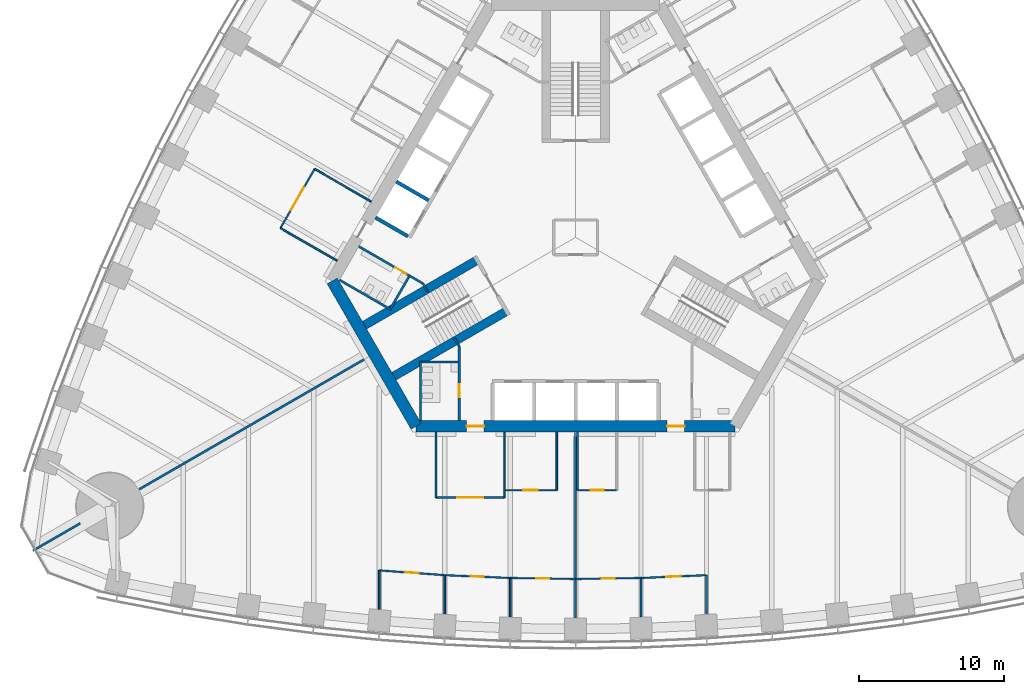
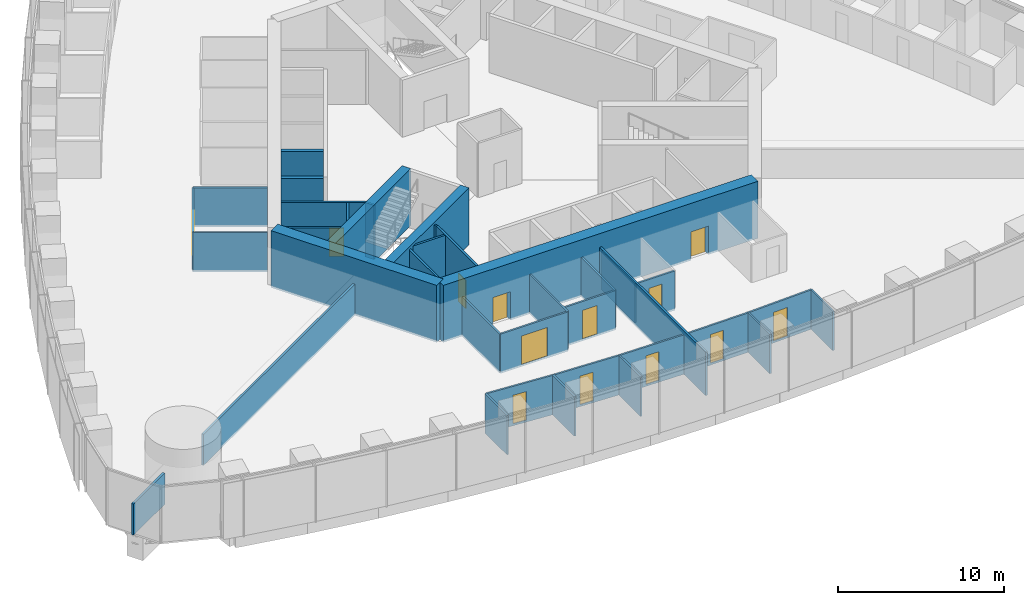
# One storey, part 10 of 18: 37 walls, 13 doors, 13 openings.
"""IFC4 building model written with IfcOpenShell, lengths in metres."""

from ifc_helpers import new_model, si_unit, direction, frame, frame_2d, origin, place, context, subcontext, project, spatial, rectangle, extrude, material, layer, layer_set, type_object, element, fill, save


model = new_model("IFC4")

# Units and contexts
model_context = context("Model", 3, precision=1e-05, world=origin(), true_north=direction((0.0, 1.0)))
body_context = subcontext(model_context, "Body", "Model", "MODEL_VIEW")
ifc_project = project(units=[si_unit("LENGTHUNIT", "METRE"), si_unit("AREAUNIT", "SQUARE_METRE"), si_unit("VOLUMEUNIT", "CUBIC_METRE"), si_unit("PLANEANGLEUNIT", "RADIAN"), si_unit("MASSUNIT", "GRAM", prefix="KILO")], contexts=[model_context])

# Site, building, storey
site_placement = place(None, origin())
site = spatial("IfcSite", under=ifc_project, at=site_placement, CompositionType="ELEMENT")
building_placement = place(site_placement, origin())
building = spatial("IfcBuilding", under=site, at=building_placement, Name="Trefoil Bronze Tower", CompositionType="ELEMENT")
storey_placement = place(building_placement, frame((0.0, 0.0, 29.10009765625)))
storey = spatial("IfcBuildingStorey", under=building, at=storey_placement, Name="L06", CompositionType="ELEMENT", Elevation=29.10009765625)

# Wall, openings, doors
ifc_material_1 = material(Name="Concrete B80", Category="concrete")
ifc_layer_1 = layer(ifc_material_1, 0.800048828125)
ifc_layer_set_1 = layer_set([ifc_layer_1], Name="Core wall 800")
wall_type_1 = type_object("IfcWallType", Name="Core wall 800", PredefinedType="SHEAR", material=ifc_layer_set_1)
wall_1_placement = place(storey_placement, frame((-10.9697265625, -13.0, 0.0), z_axis=(0.0, 0.0, 1.0), x_axis=(1.0, 0.0, 0.0)))
wall_1 = element("IfcWall", 1, at=wall_1_placement, inside=storey, type_object=wall_type_1, Name="Core long wall 1 L06", PredefinedType="SHEAR", context=body_context, shape_type="SweptSolid", body=[
    extrude(rectangle(XDim=21.939453125, YDim=0.800048828125, at=frame_2d((10.9697265625, 0.0))), origin(), (0.0, 0.0, 1.0), 4.199951171875),
])
opening_1_placement = place(wall_1_placement, frame((17.269775390625, 0.0, 0.0)))
opening_1 = element("IfcOpeningElement", 2, at=opening_1_placement, cuts=wall_1, Name="Opening D2", PredefinedType="OPENING", context=body_context, shape_type="SweptSolid", body=[
    extrude(rectangle(XDim=1.199951171875, YDim=2.10009765625, at=frame_2d((0.60009765625, 1.050048828125))), frame((0.0, 0.409912109375, 0.0), z_axis=(0.0, -1.0, 0.0), x_axis=(1.0, 0.0, 0.0)), (0.0, 0.0, 1.0), 0.820068359375),
])
opening_2_placement = place(wall_1_placement, frame((3.4697265625, 0.0, 0.0)))
opening_2 = element("IfcOpeningElement", 3, at=opening_2_placement, cuts=wall_1, Name="Opening D2", PredefinedType="OPENING", context=body_context, shape_type="SweptSolid", body=[
    extrude(rectangle(XDim=1.199951171875, YDim=2.10009765625, at=frame_2d((0.60009765625, 1.050048828125))), frame((0.0, 0.409912109375, 0.0), z_axis=(0.0, -1.0, 0.0), x_axis=(1.0, 0.0, 0.0)), (0.0, 0.0, 1.0), 0.820068359375),
])
ifc_material_2 = material(Name="Steel door", Category="steel")
door_type_1 = type_object("IfcDoorType", Name="Lobby door 1200", OperationType="SINGLE_SWING_RIGHT", PredefinedType="DOOR", material=ifc_material_2)
door_1_placement = place(opening_1_placement, origin())
door_1 = element("IfcDoor", 4, at=door_1_placement, inside=storey, type_object=door_type_1, Name="Lobby door F1+ L06", OperationType="SINGLE_SWING_RIGHT", OverallHeight=2.10009765625, OverallWidth=1.199951171875, PredefinedType="DOOR", context=body_context, shape_type="SweptSolid", body=[
    extrude(rectangle(XDim=1.199951171875, YDim=2.10009765625, at=frame_2d((0.60009765625, 1.050048828125))), frame((0.0, 0.02490234375, 0.0), z_axis=(0.0, -1.0, 0.0), x_axis=(1.0, 0.0, 0.0)), (0.0, 0.0, 1.0), 0.050048828125),
])
fill(opening_1, door_1)
door_2_placement = place(opening_2_placement, origin())
door_2 = element("IfcDoor", 5, at=door_2_placement, inside=storey, type_object=door_type_1, Name="Lobby door F1- L06", OperationType="SINGLE_SWING_LEFT", OverallHeight=2.10009765625, OverallWidth=1.199951171875, PredefinedType="DOOR", context=body_context, shape_type="SweptSolid", body=[
    extrude(rectangle(XDim=1.199951171875, YDim=2.10009765625, at=frame_2d((0.60009765625, 1.050048828125))), frame((0.0, 0.02490234375, 0.0), z_axis=(0.0, -1.0, 0.0), x_axis=(1.0, 0.0, 0.0)), (0.0, 0.0, 1.0), 0.050048828125),
])
fill(opening_2, door_2)

# Wall
wall_2_placement = place(storey_placement, frame((-16.7431640625, -3.0, 0.0), z_axis=(0.0, 0.0, 1.0), x_axis=(0.499995765644, -0.866027848477, 0.0)))
element("IfcWall", 6, at=wall_2_placement, inside=storey, type_object=wall_type_1, Name="Core short wall 3 L06", PredefinedType="SHEAR", context=body_context, shape_type="SweptSolid", body=[
    extrude(rectangle(XDim=11.546875, YDim=0.800048828125, at=frame_2d((5.7734375, 0.0))), origin(), (0.0, 0.0, 1.0), 4.199951171875),
])

# Wall, opening, door
ifc_material_3 = material(Name="Glazed partition", Category="glass")
ifc_layer_2 = layer(ifc_material_3, 0.1201171875)
ifc_layer_set_2 = layer_set([ifc_layer_2], Name="Glazed partition 120")
wall_type_2 = type_object("IfcWallType", Name="Glazed partition 120", PredefinedType="PARTITIONING", material=ifc_layer_set_2)
wall_3_placement = place(storey_placement, frame((0.125, -17.39990234375, 0.0), z_axis=(0.0, 0.0, 1.0), x_axis=(1.0, 0.0, 0.0)))
wall_3 = element("IfcWall", 7, at=wall_3_placement, inside=storey, type_object=wall_type_2, Name="Partition F1 L06", PredefinedType="PARTITIONING", context=body_context, shape_type="SweptSolid", body=[
    extrude(rectangle(XDim=2.699951171875, YDim=0.1201171875, at=frame_2d((1.35009765625, 0.0))), origin(), (0.0, 0.0, 1.0), 2.89990234375),
])
opening_3_placement = place(wall_3_placement, frame((0.89990234375, 0.0, 0.14990234375)))
opening_3 = element("IfcOpeningElement", 8, at=opening_3_placement, cuts=wall_3, Name="Opening D8", PredefinedType="OPENING", context=body_context, shape_type="SweptSolid", body=[
    extrude(rectangle(XDim=0.89990234375, YDim=2.10009765625, at=frame_2d((0.449951171875, 1.050048828125))), frame((0.0, 0.070068359375, 0.0), z_axis=(0.0, -1.0, 0.0), x_axis=(1.0, 0.0, 0.0)), (0.0, 0.0, 1.0), 0.14013671875),
])
ifc_material_4 = material(Name="Timber door", Category="wood")
door_type_2 = type_object("IfcDoorType", Name="Office door 900", OperationType="SINGLE_SWING_LEFT", PredefinedType="DOOR", material=ifc_material_4)
door_3_placement = place(opening_3_placement, origin())
door_3 = element("IfcDoor", 9, at=door_3_placement, inside=storey, type_object=door_type_2, Name="Pantry door F1 L06", OperationType="SINGLE_SWING_LEFT", OverallHeight=2.10009765625, OverallWidth=0.89990234375, PredefinedType="DOOR", context=body_context, shape_type="SweptSolid", body=[
    extrude(rectangle(XDim=0.89990234375, YDim=2.10009765625, at=frame_2d((0.449951171875, 1.050048828125))), frame((0.0, 0.02490234375, 0.0), z_axis=(0.0, -1.0, 0.0), x_axis=(1.0, 0.0, 0.0)), (0.0, 0.0, 1.0), 0.050048828125),
])
fill(opening_3, door_3)

wall_4_placement = place(storey_placement, frame((-4.89990234375, -17.39990234375, 0.0), z_axis=(0.0, 0.0, 1.0), x_axis=(1.0, 0.0, 0.0)))
wall_4 = element("IfcWall", 10, at=wall_4_placement, inside=storey, type_object=wall_type_2, Name="Partition F1 L06", PredefinedType="PARTITIONING", context=body_context, shape_type="SweptSolid", body=[
    extrude(rectangle(XDim=3.599853515625, YDim=0.1201171875, at=frame_2d((1.7998046875, 0.0))), origin(), (0.0, 0.0, 1.0), 2.89990234375),
])
opening_4_placement = place(wall_4_placement, frame((1.300048828125, 0.0, 0.14990234375)))
opening_4 = element("IfcOpeningElement", 11, at=opening_4_placement, cuts=wall_4, Name="Opening D9", PredefinedType="OPENING", context=body_context, shape_type="SweptSolid", body=[
    extrude(rectangle(XDim=1.0, YDim=2.10009765625, at=frame_2d((0.5, 1.050048828125))), frame((0.0, 0.070068359375, 0.0), z_axis=(0.0, -1.0, 0.0), x_axis=(1.0, 0.0, 0.0)), (0.0, 0.0, 1.0), 0.14013671875),
])
ifc_material_5 = material(Name="Glazed timber door", Category="wood")
door_type_3 = type_object("IfcDoorType", Name="Meeting room door 1000", OperationType="SINGLE_SWING_LEFT", PredefinedType="DOOR", material=ifc_material_5)
door_4_placement = place(opening_4_placement, origin())
door_4 = element("IfcDoor", 12, at=door_4_placement, inside=storey, type_object=door_type_3, Name="Meeting room door F1 L06", OperationType="SINGLE_SWING_LEFT", OverallHeight=2.10009765625, OverallWidth=1.0, PredefinedType="DOOR", context=body_context, shape_type="SweptSolid", body=[
    extrude(rectangle(XDim=1.0, YDim=2.10009765625, at=frame_2d((0.5, 1.050048828125))), frame((0.0, 0.02490234375, 0.0), z_axis=(0.0, -1.0, 0.0), x_axis=(1.0, 0.0, 0.0)), (0.0, 0.0, 1.0), 0.050048828125),
])
fill(opening_4, door_4)

wall_5_placement = place(storey_placement, frame((-9.60009765625, -17.89990234375, 0.0), z_axis=(0.0, 0.0, 1.0), x_axis=(1.0, 0.0, 0.0)))
wall_5 = element("IfcWall", 13, at=wall_5_placement, inside=storey, type_object=wall_type_2, Name="Partition F1 L06", PredefinedType="PARTITIONING", context=body_context, shape_type="SweptSolid", body=[
    extrude(rectangle(XDim=4.7001953125, YDim=0.1201171875, at=frame_2d((2.35009765625, 0.0))), origin(), (0.0, 0.0, 1.0), 2.89990234375),
])
opening_5_placement = place(wall_5_placement, frame((1.449951171875, 0.0, 0.14990234375)))
opening_5 = element("IfcOpeningElement", 14, at=opening_5_placement, cuts=wall_5, Name="Opening D10", PredefinedType="OPENING", context=body_context, shape_type="SweptSolid", body=[
    extrude(rectangle(XDim=1.800048828125, YDim=2.10009765625, at=frame_2d((0.89990234375, 1.050048828125))), frame((0.0, 0.070068359375, 0.0), z_axis=(0.0, -1.0, 0.0), x_axis=(1.0, 0.0, 0.0)), (0.0, 0.0, 1.0), 0.14013671875),
])
ifc_material_6 = material(Name="Timber door", Category="wood")
door_type_4 = type_object("IfcDoorType", Name="Double door 1800", OperationType="DOUBLE_DOOR_SINGLE_SWING", PredefinedType="DOOR", material=ifc_material_6)
door_5_placement = place(opening_5_placement, origin())
door_5 = element("IfcDoor", 15, at=door_5_placement, inside=storey, type_object=door_type_4, Name="Reception door F1 L06", OperationType="DOUBLE_DOOR_SINGLE_SWING", OverallHeight=2.10009765625, OverallWidth=1.800048828125, PredefinedType="DOOR", context=body_context, shape_type="SweptSolid", body=[
    extrude(rectangle(XDim=1.800048828125, YDim=2.10009765625, at=frame_2d((0.89990234375, 1.050048828125))), frame((0.0, 0.02490234375, 0.0), z_axis=(0.0, -1.0, 0.0), x_axis=(1.0, 0.0, 0.0)), (0.0, 0.0, 1.0), 0.050048828125),
])
fill(opening_5, door_5)

# Walls
for number, where, z_axis, x_axis, name in (
    (16, (0.125, -13.39990234375, 0.0), (0.0, 0.0, 1.0), (0.0, -1.0, 0.0), "Partition F1 L06"),
    (17, (-1.300048828125, -13.39990234375, 0.0), (0.0, 0.0, 1.0), (0.0, -1.0, 0.0), "Partition F1 L06"),
):
    element("IfcWall", number, at=place(storey_placement, frame(where, z_axis=z_axis, x_axis=x_axis)), inside=storey, type_object=wall_type_2, Name=name, PredefinedType="PARTITIONING", context=body_context, shape_type="SweptSolid", body=[
        extrude(rectangle(XDim=4.0, YDim=0.1201171875, at=frame_2d((2.0, 0.0))), origin(), (0.0, 0.0, 1.0), 2.89990234375),
    ])
for number, where, z_axis, x_axis, name in (
    (18, (-4.89990234375, -13.39990234375, 0.0), (0.0, 0.0, 1.0), (0.0, -1.0, 0.0), "Partition F1 L06"),
    (19, (-9.60009765625, -13.39990234375, 0.0), (0.0, 0.0, 1.0), (0.0, -1.0, 0.0), "Partition F1 L06"),
):
    element("IfcWall", number, at=place(storey_placement, frame(where, z_axis=z_axis, x_axis=x_axis)), inside=storey, type_object=wall_type_2, Name=name, PredefinedType="PARTITIONING", context=body_context, shape_type="SweptSolid", body=[
        extrude(rectangle(XDim=4.5, YDim=0.1201171875, at=frame_2d((2.25, 0.0))), origin(), (0.0, 0.0, 1.0), 2.89990234375),
    ])

# Wall, opening, door
wall_6_placement = place(storey_placement, frame((0.0, -23.498779296875, 0.0), z_axis=(0.0, 0.0, 1.0), x_axis=(0.999894311967, 0.014538393859, 0.0)))
wall_6 = element("IfcWall", 20, at=wall_6_placement, inside=storey, type_object=wall_type_2, Name="Partition F1 L06", PredefinedType="PARTITIONING", context=body_context, shape_type="SweptSolid", body=[
    extrude(rectangle(XDim=4.50048828125, YDim=0.1201171875, at=frame_2d((2.250244140625, 0.0))), origin(), (0.0, 0.0, 1.0), 2.89990234375),
])
opening_6_placement = place(wall_6_placement, frame((1.800048828125, 0.0, 0.14990234375)))
opening_6 = element("IfcOpeningElement", 21, at=opening_6_placement, cuts=wall_6, Name="Opening D8", PredefinedType="OPENING", context=body_context, shape_type="SweptSolid", body=[
    extrude(rectangle(XDim=0.89990234375, YDim=2.10009765625, at=frame_2d((0.449951171875, 1.050048828125))), frame((0.0, 0.070068359375, 0.0), z_axis=(0.0, -1.0, 0.0), x_axis=(1.0, 0.0, 0.0)), (0.0, 0.0, 1.0), 0.14013671875),
])
door_6_placement = place(opening_6_placement, frame((0.89990234375, 0.0, 0.0), z_axis=(0.0, 0.0, 1.0), x_axis=(-1.0, 0.0, 0.0)))
door_6 = element("IfcDoor", 22, at=door_6_placement, inside=storey, type_object=door_type_2, Name="Office door F1 L06", OperationType="SINGLE_SWING_RIGHT", OverallHeight=2.10009765625, OverallWidth=0.89990234375, PredefinedType="DOOR", context=body_context, shape_type="SweptSolid", body=[
    extrude(rectangle(XDim=0.89990234375, YDim=2.10009765625, at=frame_2d((0.449951171875, 1.050048828125))), frame((0.0, 0.02490234375, 0.0), z_axis=(0.0, -1.0, 0.0), x_axis=(1.0, 0.0, 0.0)), (0.0, 0.0, 1.0), 0.050048828125),
])
fill(opening_6, door_6)

wall_7_placement = place(storey_placement, frame((4.5, -23.433349609375, 0.0), z_axis=(0.0, 0.0, 1.0), x_axis=(0.999052370647, 0.043524254212, 0.0)))
wall_7 = element("IfcWall", 23, at=wall_7_placement, inside=storey, type_object=wall_type_2, Name="Partition F1 L06", PredefinedType="PARTITIONING", context=body_context, shape_type="SweptSolid", body=[
    extrude(rectangle(XDim=4.504150390625, YDim=0.1201171875, at=frame_2d((2.251953125, 0.0))), origin(), (0.0, 0.0, 1.0), 2.89990234375),
])
opening_7_placement = place(wall_7_placement, frame((1.75, 0.0, 0.14990234375)))
opening_7 = element("IfcOpeningElement", 24, at=opening_7_placement, cuts=wall_7, Name="Opening D9", PredefinedType="OPENING", context=body_context, shape_type="SweptSolid", body=[
    extrude(rectangle(XDim=1.0, YDim=2.10009765625, at=frame_2d((0.5, 1.050048828125))), frame((0.0, 0.070068359375, 0.0), z_axis=(0.0, -1.0, 0.0), x_axis=(1.0, 0.0, 0.0)), (0.0, 0.0, 1.0), 0.14013671875),
])
door_7_placement = place(opening_7_placement, frame((1.0, 0.0, 0.0), z_axis=(0.0, 0.0, 1.0), x_axis=(-1.0, 0.0, 0.0)))
door_7 = element("IfcDoor", 25, at=door_7_placement, inside=storey, type_object=door_type_3, Name="Meeting room door F1 L06", OperationType="SINGLE_SWING_RIGHT", OverallHeight=2.10009765625, OverallWidth=1.0, PredefinedType="DOOR", context=body_context, shape_type="SweptSolid", body=[
    extrude(rectangle(XDim=1.0, YDim=2.10009765625, at=frame_2d((0.5, 1.050048828125))), frame((0.0, 0.02490234375, 0.0), z_axis=(0.0, -1.0, 0.0), x_axis=(1.0, 0.0, 0.0)), (0.0, 0.0, 1.0), 0.050048828125),
])
fill(opening_7, door_7)

wall_8_placement = place(storey_placement, frame((-13.5, -22.909912109375, 0.0), z_axis=(0.0, 0.0, 1.0), x_axis=(0.997363894896, -0.072562119306, 0.0)))
wall_8 = element("IfcWall", 26, at=wall_8_placement, inside=storey, type_object=wall_type_2, Name="Partition F1 L06", PredefinedType="PARTITIONING", context=body_context, shape_type="SweptSolid", body=[
    extrude(rectangle(XDim=4.511962890625, YDim=0.1201171875, at=frame_2d((2.255859375, 0.0))), origin(), (0.0, 0.0, 1.0), 2.89990234375),
])
opening_8_placement = place(wall_8_placement, frame((1.800048828125, 0.0, 0.14990234375)))
opening_8 = element("IfcOpeningElement", 27, at=opening_8_placement, cuts=wall_8, Name="Opening D8", PredefinedType="OPENING", context=body_context, shape_type="SweptSolid", body=[
    extrude(rectangle(XDim=0.89990234375, YDim=2.10009765625, at=frame_2d((0.449951171875, 1.050048828125))), frame((0.0, 0.070068359375, 0.0), z_axis=(0.0, -1.0, 0.0), x_axis=(1.0, 0.0, 0.0)), (0.0, 0.0, 1.0), 0.14013671875),
])
door_8_placement = place(opening_8_placement, frame((0.89990234375, 0.0, 0.0), z_axis=(0.0, 0.0, 1.0), x_axis=(-1.0, 0.0, 0.0)))
door_8 = element("IfcDoor", 28, at=door_8_placement, inside=storey, type_object=door_type_2, Name="Office door F1 L06", OperationType="SINGLE_SWING_RIGHT", OverallHeight=2.10009765625, OverallWidth=0.89990234375, PredefinedType="DOOR", context=body_context, shape_type="SweptSolid", body=[
    extrude(rectangle(XDim=0.89990234375, YDim=2.10009765625, at=frame_2d((0.449951171875, 1.050048828125))), frame((0.0, 0.02490234375, 0.0), z_axis=(0.0, -1.0, 0.0), x_axis=(1.0, 0.0, 0.0)), (0.0, 0.0, 1.0), 0.050048828125),
])
fill(opening_8, door_8)

wall_9_placement = place(storey_placement, frame((-4.5, -23.433349609375, 0.0), z_axis=(0.0, 0.0, 1.0), x_axis=(0.999894311967, -0.014538393859, 0.0)))
wall_9 = element("IfcWall", 29, at=wall_9_placement, inside=storey, type_object=wall_type_2, Name="Partition F1 L06", PredefinedType="PARTITIONING", context=body_context, shape_type="SweptSolid", body=[
    extrude(rectangle(XDim=4.50048828125, YDim=0.1201171875, at=frame_2d((2.250244140625, 0.0))), origin(), (0.0, 0.0, 1.0), 2.89990234375),
])
opening_9_placement = place(wall_9_placement, frame((1.800048828125, 0.0, 0.14990234375)))
opening_9 = element("IfcOpeningElement", 30, at=opening_9_placement, cuts=wall_9, Name="Opening D8", PredefinedType="OPENING", context=body_context, shape_type="SweptSolid", body=[
    extrude(rectangle(XDim=0.89990234375, YDim=2.10009765625, at=frame_2d((0.449951171875, 1.050048828125))), frame((0.0, 0.070068359375, 0.0), z_axis=(0.0, -1.0, 0.0), x_axis=(1.0, 0.0, 0.0)), (0.0, 0.0, 1.0), 0.14013671875),
])
door_9_placement = place(opening_9_placement, frame((0.89990234375, 0.0, 0.0), z_axis=(0.0, 0.0, 1.0), x_axis=(-1.0, 0.0, 0.0)))
door_9 = element("IfcDoor", 31, at=door_9_placement, inside=storey, type_object=door_type_2, Name="Office door F1 L06", OperationType="SINGLE_SWING_RIGHT", OverallHeight=2.10009765625, OverallWidth=0.89990234375, PredefinedType="DOOR", context=body_context, shape_type="SweptSolid", body=[
    extrude(rectangle(XDim=0.89990234375, YDim=2.10009765625, at=frame_2d((0.449951171875, 1.050048828125))), frame((0.0, 0.02490234375, 0.0), z_axis=(0.0, -1.0, 0.0), x_axis=(1.0, 0.0, 0.0)), (0.0, 0.0, 1.0), 0.050048828125),
])
fill(opening_9, door_9)

wall_10_placement = place(storey_placement, frame((-9.0, -23.2373046875, 0.0), z_axis=(0.0, 0.0, 1.0), x_axis=(0.999052370647, -0.043524254212, 0.0)))
wall_10 = element("IfcWall", 32, at=wall_10_placement, inside=storey, type_object=wall_type_2, Name="Partition F1 L06", PredefinedType="PARTITIONING", context=body_context, shape_type="SweptSolid", body=[
    extrude(rectangle(XDim=4.504150390625, YDim=0.1201171875, at=frame_2d((2.251953125, 0.0))), origin(), (0.0, 0.0, 1.0), 2.89990234375),
])
opening_10_placement = place(wall_10_placement, frame((1.800048828125, 0.0, 0.14990234375)))
opening_10 = element("IfcOpeningElement", 33, at=opening_10_placement, cuts=wall_10, Name="Opening D8", PredefinedType="OPENING", context=body_context, shape_type="SweptSolid", body=[
    extrude(rectangle(XDim=0.89990234375, YDim=2.10009765625, at=frame_2d((0.449951171875, 1.050048828125))), frame((0.0, 0.070068359375, 0.0), z_axis=(0.0, -1.0, 0.0), x_axis=(1.0, 0.0, 0.0)), (0.0, 0.0, 1.0), 0.14013671875),
])
door_10_placement = place(opening_10_placement, frame((0.89990234375, 0.0, 0.0), z_axis=(0.0, 0.0, 1.0), x_axis=(-1.0, 0.0, 0.0)))
door_10 = element("IfcDoor", 34, at=door_10_placement, inside=storey, type_object=door_type_2, Name="Office door F1 L06", OperationType="SINGLE_SWING_RIGHT", OverallHeight=2.10009765625, OverallWidth=0.89990234375, PredefinedType="DOOR", context=body_context, shape_type="SweptSolid", body=[
    extrude(rectangle(XDim=0.89990234375, YDim=2.10009765625, at=frame_2d((0.449951171875, 1.050048828125))), frame((0.0, 0.02490234375, 0.0), z_axis=(0.0, -1.0, 0.0), x_axis=(1.0, 0.0, 0.0)), (0.0, 0.0, 1.0), 0.050048828125),
])
fill(opening_10, door_10)

# Walls
wall_11_placement = place(storey_placement, frame((4.5, -23.433349609375, 0.0), z_axis=(0.0, 0.0, 1.0), x_axis=(0.0, -1.0, 0.0)))
element("IfcWall", 35, at=wall_11_placement, inside=storey, type_object=wall_type_2, Name="Partition F1 L06", PredefinedType="PARTITIONING", context=body_context, shape_type="SweptSolid", body=[
    extrude(rectangle(XDim=2.66943359375, YDim=0.1201171875, at=frame_2d((1.334716796875, 0.0))), origin(), (0.0, 0.0, 1.0), 2.89990234375),
])
wall_12_placement = place(storey_placement, frame((9.0, -23.2373046875, 0.0), z_axis=(0.0, 0.0, 1.0), x_axis=(0.0, -1.0, 0.0)))
element("IfcWall", 36, at=wall_12_placement, inside=storey, type_object=wall_type_2, Name="Partition F1 L06", PredefinedType="PARTITIONING", context=body_context, shape_type="SweptSolid", body=[
    extrude(rectangle(XDim=2.66748046875, YDim=0.1201171875, at=frame_2d((1.333740234375, 0.0))), origin(), (0.0, 0.0, 1.0), 2.89990234375),
])
wall_13_placement = place(storey_placement, frame((-13.5, -22.909912109375, 0.0), z_axis=(0.0, 0.0, 1.0), x_axis=(0.0, -1.0, 0.0)))
element("IfcWall", 37, at=wall_13_placement, inside=storey, type_object=wall_type_2, Name="Partition F1 L06", PredefinedType="PARTITIONING", context=body_context, shape_type="SweptSolid", body=[
    extrude(rectangle(XDim=2.6640625, YDim=0.1201171875, at=frame_2d((1.33203125, 0.0))), origin(), (0.0, 0.0, 1.0), 2.89990234375),
])
wall_14_placement = place(storey_placement, frame((-4.5, -23.433349609375, 0.0), z_axis=(0.0, 0.0, 1.0), x_axis=(0.0, -1.0, 0.0)))
element("IfcWall", 38, at=wall_14_placement, inside=storey, type_object=wall_type_2, Name="Partition F1 L06", PredefinedType="PARTITIONING", context=body_context, shape_type="SweptSolid", body=[
    extrude(rectangle(XDim=2.66943359375, YDim=0.1201171875, at=frame_2d((1.334716796875, 0.0))), origin(), (0.0, 0.0, 1.0), 2.89990234375),
])
wall_15_placement = place(storey_placement, frame((-9.0, -23.2373046875, 0.0), z_axis=(0.0, 0.0, 1.0), x_axis=(0.0, -1.0, 0.0)))
element("IfcWall", 39, at=wall_15_placement, inside=storey, type_object=wall_type_2, Name="Partition F1 L06", PredefinedType="PARTITIONING", context=body_context, shape_type="SweptSolid", body=[
    extrude(rectangle(XDim=2.66748046875, YDim=0.1201171875, at=frame_2d((1.333740234375, 0.0))), origin(), (0.0, 0.0, 1.0), 2.89990234375),
])

# Wall, opening, door
wall_16_placement = place(storey_placement, frame((-17.951904296875, 4.70654296875, 0.0), z_axis=(0.0, 0.0, 1.0), x_axis=(-0.499977259774, -0.866038532462, 0.0)))
wall_16 = element("IfcWall", 40, at=wall_16_placement, inside=storey, type_object=wall_type_2, Name="Partition F3 L06", PredefinedType="PARTITIONING", context=body_context, shape_type="SweptSolid", body=[
    extrude(rectangle(XDim=4.699951171875, YDim=0.1201171875, at=frame_2d((2.35009765625, 0.0))), origin(), (0.0, 0.0, 1.0), 2.89990234375),
])
opening_11_placement = place(wall_16_placement, frame((1.449951171875, 0.0, 0.14990234375)))
opening_11 = element("IfcOpeningElement", 41, at=opening_11_placement, cuts=wall_16, Name="Opening D10", PredefinedType="OPENING", context=body_context, shape_type="SweptSolid", body=[
    extrude(rectangle(XDim=1.800048828125, YDim=2.10009765625, at=frame_2d((0.89990234375, 1.050048828125))), frame((0.0, 0.070068359375, 0.0), z_axis=(0.0, -1.0, 0.0), x_axis=(1.0, 0.0, 0.0)), (0.0, 0.0, 1.0), 0.14013671875),
])
door_11_placement = place(opening_11_placement, origin())
door_11 = element("IfcDoor", 42, at=door_11_placement, inside=storey, type_object=door_type_4, Name="Reception door F3 L06", OperationType="DOUBLE_DOOR_SINGLE_SWING", OverallHeight=2.10009765625, OverallWidth=1.800048828125, PredefinedType="DOOR", context=body_context, shape_type="SweptSolid", body=[
    extrude(rectangle(XDim=1.800048828125, YDim=2.10009765625, at=frame_2d((0.89990234375, 1.050048828125))), frame((0.0, 0.02490234375, 0.0), z_axis=(0.0, -1.0, 0.0), x_axis=(1.0, 0.0, 0.0)), (0.0, 0.0, 1.0), 0.050048828125),
])
fill(opening_11, door_11)

# Walls
wall_17_placement = place(storey_placement, frame((-14.0546875, 2.45654296875, 0.0), z_axis=(0.0, 0.0, 1.0), x_axis=(-0.866031096941, 0.499990139034, 0.0)))
element("IfcWall", 43, at=wall_17_placement, inside=storey, type_object=wall_type_2, Name="Partition F3 L06", PredefinedType="PARTITIONING", context=body_context, shape_type="SweptSolid", body=[
    extrude(rectangle(XDim=4.5, YDim=0.1201171875, at=frame_2d((2.25, 0.0))), origin(), (0.0, 0.0, 1.0), 2.89990234375),
])
wall_18_placement = place(storey_placement, frame((-16.40478515625, -1.61376953125, 0.0), z_axis=(0.0, 0.0, 1.0), x_axis=(-0.866017533419, 0.500013631625, 0.0)))
element("IfcWall", 44, at=wall_18_placement, inside=storey, type_object=wall_type_2, Name="Partition F3 L06", PredefinedType="PARTITIONING", context=body_context, shape_type="SweptSolid", body=[
    extrude(rectangle(XDim=4.499755859375, YDim=0.1201171875, at=frame_2d((2.25, 0.0))), origin(), (0.0, 0.0, 1.0), 2.89990234375),
])

# Wall, opening, door
ifc_material_7 = material(Name="Gypsum board on steel studs", Category="steel")
ifc_layer_3 = layer(ifc_material_7, 0.14990234375)
ifc_layer_set_3 = layer_set([ifc_layer_3], Name="Partition 150")
wall_type_3 = type_object("IfcWallType", Name="Partition 150", PredefinedType="PARTITIONING", material=ifc_layer_set_3)
wall_19_placement = place(storey_placement, frame((-8.0, -7.5, 0.0), z_axis=(0.0, 0.0, 1.0), x_axis=(0.0, -1.0, 0.0)))
wall_19 = element("IfcWall", 45, at=wall_19_placement, inside=storey, type_object=wall_type_3, Name="Passage wall F1- L06", PredefinedType="PARTITIONING", context=body_context, shape_type="SweptSolid", body=[
    extrude(rectangle(XDim=5.10009765625, YDim=0.14990234375, at=frame_2d((2.550048828125, 0.0))), origin(), (0.0, 0.0, 1.0), 4.0),
])
opening_12_placement = place(wall_19_placement, frame((2.60009765625, 0.0, 0.0)))
opening_12 = element("IfcOpeningElement", 46, at=opening_12_placement, cuts=wall_19, Name="Opening D3", PredefinedType="OPENING", context=body_context, shape_type="SweptSolid", body=[
    extrude(rectangle(XDim=0.89990234375, YDim=2.10009765625, at=frame_2d((0.449951171875, 1.050048828125))), frame((0.0, 0.0849609375, 0.0), z_axis=(0.0, -1.0, 0.0), x_axis=(1.0, 0.0, 0.0)), (0.0, 0.0, 1.0), 0.169921875),
])
ifc_material_8 = material(Name="Timber door", Category="wood")
door_type_5 = type_object("IfcDoorType", Name="WC door 900", OperationType="SINGLE_SWING_LEFT", PredefinedType="DOOR", material=ifc_material_8)
door_12_placement = place(opening_12_placement, frame((0.89990234375, 0.0, 0.0), z_axis=(0.0, 0.0, 1.0), x_axis=(-1.0, 0.0, 0.0)))
door_12 = element("IfcDoor", 47, at=door_12_placement, inside=storey, type_object=door_type_5, Name="WC (women) door L06", OperationType="SINGLE_SWING_RIGHT", OverallHeight=2.10009765625, OverallWidth=0.89990234375, PredefinedType="DOOR", context=body_context, shape_type="SweptSolid", body=[
    extrude(rectangle(XDim=0.89990234375, YDim=2.10009765625, at=frame_2d((0.449951171875, 1.050048828125))), frame((0.0, 0.02490234375, 0.0), z_axis=(0.0, -1.0, 0.0), x_axis=(1.0, 0.0, 0.0)), (0.0, 0.0, 1.0), 0.050048828125),
])
fill(opening_12, door_12)

wall_20_placement = place(storey_placement, frame((-10.4951171875, -3.17822265625, 0.0), z_axis=(0.0, 0.0, 1.0), x_axis=(-0.86602216432, 0.500005610874, 0.0)))
wall_20 = element("IfcWall", 48, at=wall_20_placement, inside=storey, type_object=wall_type_3, Name="Passage wall F3+ L06", PredefinedType="PARTITIONING", context=body_context, shape_type="SweptSolid", body=[
    extrude(rectangle(XDim=5.10009765625, YDim=0.14990234375, at=frame_2d((2.550048828125, 0.0))), origin(), (0.0, 0.0, 1.0), 4.0),
])
opening_13_placement = place(wall_20_placement, frame((1.300048828125, 0.0, 0.0)))
opening_13 = element("IfcOpeningElement", 49, at=opening_13_placement, cuts=wall_20, Name="Opening D3", PredefinedType="OPENING", context=body_context, shape_type="SweptSolid", body=[
    extrude(rectangle(XDim=0.89990234375, YDim=2.10009765625, at=frame_2d((0.449951171875, 1.050048828125))), frame((0.0, 0.0849609375, 0.0), z_axis=(0.0, -1.0, 0.0), x_axis=(1.0, 0.0, 0.0)), (0.0, 0.0, 1.0), 0.169921875),
])
door_13_placement = place(opening_13_placement, origin())
door_13 = element("IfcDoor", 50, at=door_13_placement, inside=storey, type_object=door_type_5, Name="WC (men) door L06", OperationType="SINGLE_SWING_LEFT", OverallHeight=2.10009765625, OverallWidth=0.89990234375, PredefinedType="DOOR", context=body_context, shape_type="SweptSolid", body=[
    extrude(rectangle(XDim=0.89990234375, YDim=2.10009765625, at=frame_2d((0.449951171875, 1.050048828125))), frame((0.0, 0.02490234375, 0.0), z_axis=(0.0, -1.0, 0.0), x_axis=(1.0, 0.0, 0.0)), (0.0, 0.0, 1.0), 0.050048828125),
])
fill(opening_13, door_13)

# Walls
for number, where, z_axis, x_axis, name in (
    (51, (-10.4951171875, -3.17822265625, 0.0), (0.0, 0.0, 1.0), (0.499842556608, -0.866116284689, 0.0), "WC wall ST3-1 L06"),
    (52, (-8.0, -7.5, 0.0), (0.0, 0.0, 1.0), (-0.499842556608, 0.866116284689, 0.0), "WC wall ST3+1 L06"),
):
    element("IfcWall", number, at=place(storey_placement, frame(where, z_axis=z_axis, x_axis=x_axis)), inside=storey, type_object=wall_type_3, Name=name, PredefinedType="PARTITIONING", context=body_context, shape_type="SweptSolid", body=[
        extrude(rectangle(XDim=0.645263671875, YDim=0.14990234375, at=frame_2d((0.32275390625, 0.0))), origin(), (0.0, 0.0, 1.0), 4.0),
    ])
wall_21_placement = place(storey_placement, frame((-12.691162109375, -4.98193359375, 0.0), z_axis=(0.0, 0.0, 1.0), x_axis=(-0.8660249478, 0.500000789788, 0.0)))
element("IfcWall", 53, at=wall_21_placement, inside=storey, type_object=wall_type_3, Name="WC partition WC (men) L06", PredefinedType="PARTITIONING", context=body_context, shape_type="SweptSolid", body=[
    extrude(rectangle(XDim=4.10009765625, YDim=0.14990234375, at=frame_2d((2.050048828125, 0.0))), origin(), (0.0, 0.0, 1.0), 4.0),
])
wall_22_placement = place(storey_placement, frame((-11.463623046875, -2.70556640625, 0.0), z_axis=(0.0, 0.0, 1.0), x_axis=(-0.50001992892, -0.866013897511, 0.0)))
element("IfcWall", 54, at=wall_22_placement, inside=storey, type_object=wall_type_3, Name="WC partition WC (men) L06", PredefinedType="PARTITIONING", context=body_context, shape_type="SweptSolid", body=[
    extrude(rectangle(XDim=2.51025390625, YDim=0.14990234375, at=frame_2d((1.255126953125, 0.0))), origin(), (0.0, 0.0, 1.0), 4.0),
])
wall_23_placement = place(storey_placement, frame((-10.659912109375, -8.5, 0.0), z_axis=(0.0, 0.0, 1.0), x_axis=(0.0, -1.0, 0.0)))
element("IfcWall", 55, at=wall_23_placement, inside=storey, type_object=wall_type_3, Name="WC partition WC (women) L06", PredefinedType="PARTITIONING", context=body_context, shape_type="SweptSolid", body=[
    extrude(rectangle(XDim=4.10009765625, YDim=0.14990234375, at=frame_2d((2.050048828125, 0.0))), origin(), (0.0, 0.0, 1.0), 4.0),
])
wall_24_placement = place(storey_placement, frame((-8.074951171875, -8.574951171875, 0.0), z_axis=(0.0, 0.0, 1.0), x_axis=(-1.0, 0.0, 0.0)))
element("IfcWall", 56, at=wall_24_placement, inside=storey, type_object=wall_type_3, Name="WC partition WC (women) L06", PredefinedType="PARTITIONING", context=body_context, shape_type="SweptSolid", body=[
    extrude(rectangle(XDim=2.510009765625, YDim=0.14990234375, at=frame_2d((1.2548828125, 0.0))), origin(), (0.0, 0.0, 1.0), 4.0),
])
ifc_material_9 = material(Name="Gypsum board on steel studs", Category="steel")
ifc_layer_4 = layer(ifc_material_9, 0.14990234375)
ifc_layer_set_4 = layer_set([ifc_layer_4], Name="Party wall 150")
wall_type_4 = type_object("IfcWallType", Name="Party wall 150", PredefinedType="PARTITIONING", material=ifc_layer_set_4)
wall_25_placement = place(storey_placement, frame((-14.202880859375, -8.199951171875, 0.0), z_axis=(0.0, 0.0, 1.0), x_axis=(-0.866024965723, -0.500000758745, 0.0)))
element("IfcWall", 57, at=wall_25_placement, inside=storey, type_object=wall_type_4, Name="Party wall K3 L06", PredefinedType="PARTITIONING", context=body_context, shape_type="SweptSolid", body=[
    extrude(rectangle(XDim=18.25, YDim=0.14990234375, at=frame_2d((9.125, 0.0))), origin(), (0.0, 0.0, 1.0), 2.2998046875),
])
wall_26_placement = place(storey_placement, frame((-34.078125, -19.675048828125, 0.0), z_axis=(0.0, 0.0, 1.0), x_axis=(-0.866019247219, -0.500010663332, 0.0)))
element("IfcWall", 58, at=wall_26_placement, inside=storey, type_object=wall_type_4, Name="Party wall K3 L06", PredefinedType="PARTITIONING", context=body_context, shape_type="SweptSolid", body=[
    extrude(rectangle(XDim=3.76416015625, YDim=0.14990234375, at=frame_2d((1.882080078125, 0.0))), origin(), (0.0, 0.0, 1.0), 2.2998046875),
])
wall_27_placement = place(storey_placement, frame((0.0, -13.409912109375, 0.0), z_axis=(0.0, 0.0, 1.0), x_axis=(0.0, -1.0, 0.0)))
element("IfcWall", 59, at=wall_27_placement, inside=storey, type_object=wall_type_4, Name="Demising wall F1 L06", PredefinedType="PARTITIONING", context=body_context, shape_type="SweptSolid", body=[
    extrude(rectangle(XDim=12.7587890625, YDim=0.14990234375, at=frame_2d((6.37939453125, 0.0))), origin(), (0.0, 0.0, 1.0), 3.199951171875),
])
ifc_material_10 = material(Name="Concrete B80", Category="concrete")
ifc_layer_5 = layer(ifc_material_10, 0.25)
ifc_layer_set_5 = layer_set([ifc_layer_5], Name="Shaft wall 250")
wall_type_5 = type_object("IfcWallType", Name="Shaft wall 250", PredefinedType="SHEAR", material=ifc_layer_set_5)
for number, where, z_axis, x_axis, name in (
    (60, (-10.10693359375, 2.54443359375, 0.0), (0.0, 0.0, 1.0), (-0.866046643894, 0.499963209246, 0.0), "Lift shaft side wall C3 L06"),
    (61, (-11.531982421875, 0.076171875, 0.0), (0.0, 0.0, 1.0), (-0.866005588531, 0.500034319456, 0.0), "Lift shaft side wall C4 L06"),
):
    element("IfcWall", number, at=place(storey_placement, frame(where, z_axis=z_axis, x_axis=x_axis)), inside=storey, type_object=wall_type_5, Name=name, PredefinedType="SHEAR", context=body_context, shape_type="SweptSolid", body=[
        extrude(rectangle(XDim=2.574951171875, YDim=0.25, at=frame_2d((1.28759765625, 0.0))), origin(), (0.0, 0.0, 1.0), 4.199951171875),
    ])
ifc_material_11 = material(Name="Concrete B80", Category="concrete")
ifc_layer_6 = layer(ifc_material_11, 0.60009765625)
ifc_layer_set_6 = layer_set([ifc_layer_6], Name="Stair wall 600")
wall_type_6 = type_object("IfcWallType", Name="Stair wall 600", PredefinedType="SHEAR", material=ifc_layer_set_6)
for number, where, z_axis, x_axis, name in (
    (62, (-6.663330078125, -1.5087890625, 0.0), (0.0, 0.0, 1.0), (-0.866019375473, -0.500010441196, 0.0), "Stair wall ST3 L06"),
    (63, (-4.638427734375, -5.01611328125, 0.0), (0.0, 0.0, 1.0), (-0.866019375473, -0.500010441196, 0.0), "Stair wall ST3 L06"),
):
    element("IfcWall", number, at=place(storey_placement, frame(where, z_axis=z_axis, x_axis=x_axis)), inside=storey, type_object=wall_type_6, Name=name, PredefinedType="SHEAR", context=body_context, shape_type="SweptSolid", body=[
        extrude(rectangle(XDim=9.074951171875, YDim=0.60009765625, at=frame_2d((4.53759765625, 0.0))), origin(), (0.0, 0.0, 1.0), 4.199951171875),
    ])

save(model, "model.ifc")
